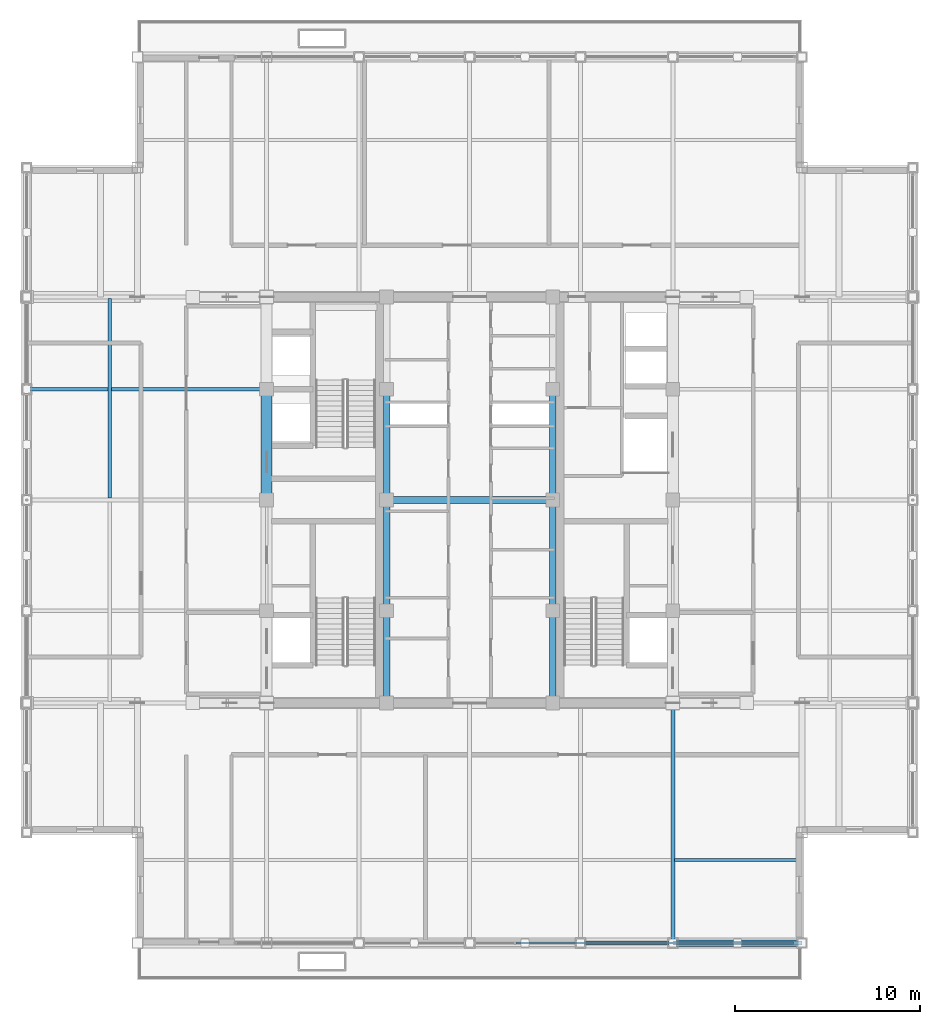
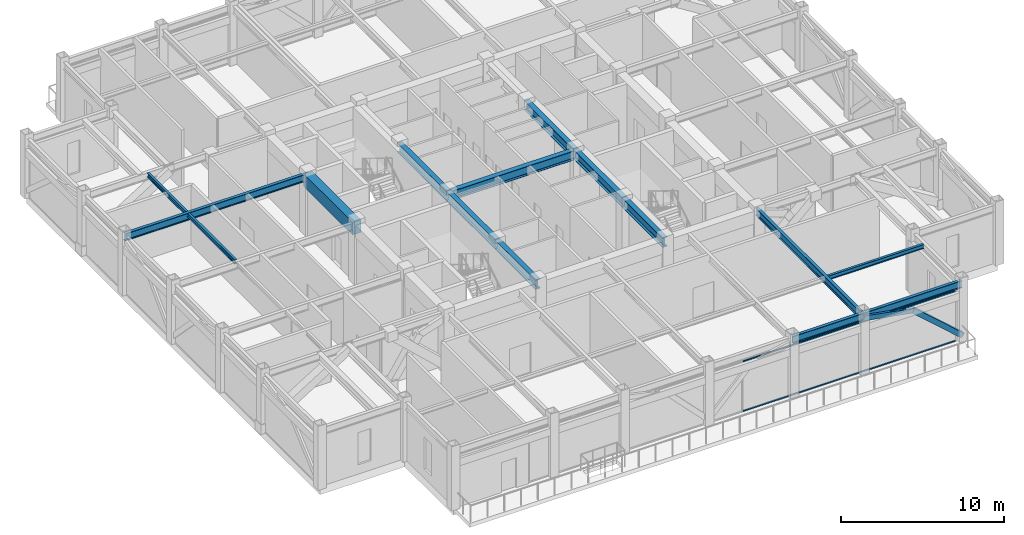
# One storey, part 7 of 32: 14 beams, 4 members, 1 element without a shape of its own.
"""IFC4 building model written with IfcOpenShell, lengths in metres."""

from ifc_helpers import new_model, si_unit, direction, frame, origin, origin_2d, place, context, subcontext, project, spatial, rectangle, hollow_rectangle, i_section, extrude, source, transform, mapped, material, material_profile, profile_set, type_object, element, aggregate, save


model = new_model("IFC4")

# Units and contexts
model_context = context("Model", 3, precision=1e-05, world=origin(), true_north=direction((0.0, 1.0)))
body_context = subcontext(model_context, "Body", "Model", "MODEL_VIEW")
ifc_project = project(units=[si_unit("LENGTHUNIT", "METRE"), si_unit("AREAUNIT", "SQUARE_METRE"), si_unit("VOLUMEUNIT", "CUBIC_METRE"), si_unit("PLANEANGLEUNIT", "RADIAN"), si_unit("MASSUNIT", "GRAM", prefix="KILO")], contexts=[model_context])

# Site, building, storey
site_placement = place(None, origin())
site = spatial("IfcSite", under=ifc_project, at=site_placement, CompositionType="ELEMENT")
building_placement = place(site_placement, origin())
building = spatial("IfcBuilding", under=site, at=building_placement, Name="Khorayat Bourse Tower", CompositionType="ELEMENT")
storey_placement = place(building_placement, frame((0.0, 0.0, 375.5)))
storey = spatial("IfcBuildingStorey", under=building, at=storey_placement, Name="L89", CompositionType="ELEMENT", Elevation=375.5)

# Beams
ifc_material_1 = material(Name="Steel ASTM A992 Grade 50", Category="steel")
ifc_material_profile_1 = material_profile(ifc_material_1, i_section(OverallWidth=0.35498046875, OverallDepth=0.695068359375, WebThickness=0.015380859375, FlangeThickness=0.02490234375, FilletRadius=0.01806640625, at=origin_2d()), Name="W690X217")
ifc_profile_set_1 = profile_set([ifc_material_profile_1], Name="Steel ASTM A992 Grade 50")
beam_type_1 = type_object("IfcBeamType", Name="BM-GIRD-690", PredefinedType="BEAM", material=ifc_profile_set_1)
shared_shape_1 = source(origin(), body_context, "Body", "SweptSolid", [
    extrude(i_section(OverallWidth=0.35498046875, OverallDepth=0.695068359375, WebThickness=0.015380859375, FlangeThickness=0.02490234375, FilletRadius=0.01806640625, at=origin_2d()), origin(), (0.0, 0.0, 1.0), 5.0),
])
for number, where, z_axis, x_axis, name in (
    (1, (-4.5, -11.0, 4.1025390625), (0.0, 1.0, 0.0), (-1.0, 0.0, 0.0), "L89 BM-GIRD-690 BM-L89-CRX-05"),
    (2, (4.5, -11.0, 4.1025390625), (0.0, 1.0, 0.0), (-1.0, 0.0, 0.0), "L89 BM-GIRD-690 BM-L89-CRX-09"),
):
    element("IfcBeam", number, at=place(storey_placement, frame(where, z_axis=z_axis, x_axis=x_axis)), inside=storey, type_object=beam_type_1, Name=name, PredefinedType="BEAM", context=body_context, shape_type="MappedRepresentation", body=[
        mapped(shared_shape_1, transform((0.0, 0.0, 0.0), scale=1.0)),
    ])
shared_shape_2 = source(origin(), body_context, "Body", "SweptSolid", [
    extrude(i_section(OverallWidth=0.35498046875, OverallDepth=0.695068359375, WebThickness=0.015380859375, FlangeThickness=0.02490234375, FilletRadius=0.01806640625, at=origin_2d()), origin(), (0.0, 0.0, 1.0), 6.0),
])
for number, where, z_axis, x_axis, name in (
    (3, (-4.5, -6.0, 4.1025390625), (0.0, 1.0, 0.0), (-1.0, 0.0, 0.0), "L89 BM-GIRD-690 BM-L89-CRX-06"),
    (4, (-4.5, 0.0, 4.1025390625), (0.0, 1.0, 0.0), (-1.0, 0.0, 0.0), "L89 BM-GIRD-690 BM-L89-CRX-07"),
    (5, (4.5, -6.0, 4.1025390625), (0.0, 1.0, 0.0), (-1.0, 0.0, 0.0), "L89 BM-GIRD-690 BM-L89-CRX-10"),
    (6, (4.5, 0.0, 4.1025390625), (0.0, 1.0, 0.0), (-1.0, 0.0, 0.0), "L89 BM-GIRD-690 BM-L89-CRX-11"),
):
    element("IfcBeam", number, at=place(storey_placement, frame(where, z_axis=z_axis, x_axis=x_axis)), inside=storey, type_object=beam_type_1, Name=name, PredefinedType="BEAM", context=body_context, shape_type="MappedRepresentation", body=[
        mapped(shared_shape_2, transform((0.0, 0.0, 0.0), scale=1.0)),
    ])
shared_shape_3 = source(origin(), body_context, "Body", "SweptSolid", [
    extrude(i_section(OverallWidth=0.35498046875, OverallDepth=0.695068359375, WebThickness=0.015380859375, FlangeThickness=0.02490234375, FilletRadius=0.01806640625, at=origin_2d()), origin(), (0.0, 0.0, 1.0), 9.0),
])
beam_1_placement = place(storey_placement, frame((-4.5, 0.0, 4.1025390625), z_axis=(1.0, 0.0, 0.0), x_axis=(0.0, 1.0, 0.0)))
element("IfcBeam", 7, at=beam_1_placement, inside=storey, type_object=beam_type_1, Name="L89 BM-GIRD-690 BM-L89-CRY-23", PredefinedType="BEAM", context=body_context, shape_type="MappedRepresentation", body=[
    mapped(shared_shape_3, transform((0.0, 0.0, 0.0), scale=1.0)),
])
ifc_material_2 = material(Name="Concrete C60/75", Category="concrete")
ifc_material_profile_2 = material_profile(ifc_material_2, rectangle(XDim=0.60009765625, YDim=0.949951171875, at=origin_2d()), Name="RC 600x950")
ifc_profile_set_2 = profile_set([ifc_material_profile_2], Name="Concrete C60/75")
beam_type_2 = type_object("IfcBeamType", Name="BM-COUP-950", PredefinedType="BEAM", material=ifc_profile_set_2)
shared_shape_4 = source(origin(), body_context, "Body", "SweptSolid", [
    extrude(rectangle(XDim=0.60009765625, YDim=0.949951171875, at=origin_2d()), origin(), (0.0, 0.0, 1.0), 6.0),
])
beam_2_placement = place(storey_placement, frame((-11.0, 0.0, 3.97509765625), z_axis=(0.0, 1.0, 0.0), x_axis=(-1.0, 0.0, 0.0)))
element("IfcBeam", 8, at=beam_2_placement, inside=storey, type_object=beam_type_2, Name="L89 BM-COUP-950 BM-L89-CRX-03", PredefinedType="BEAM", context=body_context, shape_type="MappedRepresentation", body=[
    mapped(shared_shape_4, transform((0.0, 0.0, 0.0), scale=1.0)),
])
ifc_material_profile_3 = material_profile(ifc_material_1, i_section(OverallWidth=0.214111328125, OverallDepth=0.549072265625, WebThickness=0.0146484375, FlangeThickness=0.023681640625, FilletRadius=0.013916015625, at=origin_2d()), Name="W530X138")
ifc_profile_set_3 = profile_set([ifc_material_profile_3], Name="Steel ASTM A992 Grade 50")
beam_type_3 = type_object("IfcBeamType", Name="BM-SPAN-530", PredefinedType="SPANDREL", material=ifc_profile_set_3)
shared_shape_5 = source(origin(), body_context, "Body", "SweptSolid", [
    extrude(i_section(OverallWidth=0.214111328125, OverallDepth=0.549072265625, WebThickness=0.0146484375, FlangeThickness=0.023681640625, FilletRadius=0.013916015625, at=origin_2d()), origin(), (0.0, 0.0, 1.0), 5.0),
])
beam_3_placement = place(storey_placement, frame((6.0, -24.0, 4.175537109375), z_axis=(1.0, 0.0, 0.0), x_axis=(0.0, 1.0, 0.0)))
element("IfcBeam", 9, at=beam_3_placement, inside=storey, type_object=beam_type_3, Name="L89 BM-SPAN-530 BM-L89-SPN-028", PredefinedType="SPANDREL", context=body_context, shape_type="MappedRepresentation", body=[
    mapped(shared_shape_5, transform((0.0, 0.0, 0.0), scale=1.0)),
])
shared_shape_6 = source(origin(), body_context, "Body", "SweptSolid", [
    extrude(i_section(OverallWidth=0.214111328125, OverallDepth=0.549072265625, WebThickness=0.0146484375, FlangeThickness=0.023681640625, FilletRadius=0.013916015625, at=origin_2d()), origin(), (0.0, 0.0, 1.0), 7.0),
])
beam_4_placement = place(storey_placement, frame((11.0, -24.0, 4.175537109375), z_axis=(1.0, 0.0, 0.0), x_axis=(0.0, 1.0, 0.0)))
element("IfcBeam", 10, at=beam_4_placement, inside=storey, type_object=beam_type_3, Name="L89 BM-SPAN-530 BM-L89-SPN-029", PredefinedType="SPANDREL", context=body_context, shape_type="MappedRepresentation", body=[
    mapped(shared_shape_6, transform((0.0, 0.0, 0.0), scale=1.0)),
])
ifc_material_profile_4 = material_profile(ifc_material_1, i_section(OverallWidth=0.214111328125, OverallDepth=0.549072265625, WebThickness=0.0146484375, FlangeThickness=0.023681640625, FilletRadius=0.013916015625, at=origin_2d()), Name="W530X138")
ifc_profile_set_4 = profile_set([ifc_material_profile_4], Name="Steel ASTM A992 Grade 50")
beam_type_4 = type_object("IfcBeamType", Name="BM-GIRD-530", PredefinedType="BEAM", material=ifc_profile_set_4)
shared_shape_7 = source(origin(), body_context, "Body", "SweptSolid", [
    extrude(i_section(OverallWidth=0.214111328125, OverallDepth=0.549072265625, WebThickness=0.0146484375, FlangeThickness=0.023681640625, FilletRadius=0.013916015625, at=origin_2d()), origin(), (0.0, 0.0, 1.0), 13.0),
])
for number, where, z_axis, x_axis, name in (
    (11, (11.0, -24.0, 4.175537109375), (0.0, 1.0, 0.0), (-1.0, 0.0, 0.0), "L89 BM-GIRD-530 BM-L89-RADY-065"),
    (12, (-24.0, 6.0, 4.175537109375), (1.0, 0.0, 0.0), (0.0, 1.0, 0.0), "L89 BM-GIRD-530 BM-L89-RADX-073"),
):
    element("IfcBeam", number, at=place(storey_placement, frame(where, z_axis=z_axis, x_axis=x_axis)), inside=storey, type_object=beam_type_4, Name=name, PredefinedType="BEAM", context=body_context, shape_type="MappedRepresentation", body=[
        mapped(shared_shape_7, transform((0.0, 0.0, 0.0), scale=1.0)),
    ])
ifc_material_profile_5 = material_profile(ifc_material_1, i_section(OverallWidth=0.1669921875, OverallDepth=0.31689453125, WebThickness=0.007568359375, FlangeThickness=0.01318359375, FilletRadius=0.010009765625, at=origin_2d()), Name="W310X52")
ifc_profile_set_5 = profile_set([ifc_material_profile_5], Name="Steel ASTM A992 Grade 50")
beam_type_5 = type_object("IfcBeamType", Name="BM-JOIST-310", PredefinedType="JOIST", material=ifc_profile_set_5)
shared_shape_8 = source(origin(), body_context, "Body", "SweptSolid", [
    extrude(i_section(OverallWidth=0.1669921875, OverallDepth=0.31689453125, WebThickness=0.007568359375, FlangeThickness=0.01318359375, FilletRadius=0.010009765625, at=origin_2d()), origin(), (0.0, 0.0, 1.0), 6.81005859375),
])
beam_5_placement = place(storey_placement, frame((11.094970703125, -19.5, 4.29150390625), z_axis=(1.0, 0.0, 0.0), x_axis=(0.0, 1.0, 0.0)))
element("IfcBeam", 13, at=beam_5_placement, inside=storey, type_object=beam_type_5, Name="L89 BM-JOIST-310 BM-L89-JSTX-086", PredefinedType="JOIST", context=body_context, shape_type="MappedRepresentation", body=[
    mapped(shared_shape_8, transform((0.0, 0.0, 0.0), scale=1.0)),
])
shared_shape_9 = source(origin(), body_context, "Body", "SweptSolid", [
    extrude(i_section(OverallWidth=0.1669921875, OverallDepth=0.31689453125, WebThickness=0.007568359375, FlangeThickness=0.01318359375, FilletRadius=0.010009765625, at=origin_2d()), origin(), (0.0, 0.0, 1.0), 10.81005859375),
])
beam_6_placement = place(storey_placement, frame((-19.5, 0.094970703125, 4.29150390625), z_axis=(0.0, 1.0, 0.0), x_axis=(-1.0, 0.0, 0.0)))
element("IfcBeam", 14, at=beam_6_placement, inside=storey, type_object=beam_type_5, Name="L89 BM-JOIST-310 BM-L89-JSTY-091", PredefinedType="JOIST", context=body_context, shape_type="MappedRepresentation", body=[
    mapped(shared_shape_9, transform((0.0, 0.0, 0.0), scale=1.0)),
])

# Members
ifc_material_3 = material(Name="Steel EN 10025-2 S355J2", Category="steel")
ifc_material_profile_6 = material_profile(ifc_material_3, hollow_rectangle(XDim=0.35009765625, YDim=0.35009765625, WallThickness=0.02001953125, at=origin_2d()), Name="HSS 350x350x20")
ifc_profile_set_6 = profile_set([ifc_material_profile_6], Name="Steel EN 10025-2 S355J2")
member_type_1 = type_object("IfcMemberType", Name="MBR-CROWN-350", PredefinedType="USERDEFINED", material=ifc_profile_set_6)
shared_shape_10 = source(origin(), body_context, "Body", "SweptSolid", [
    extrude(hollow_rectangle(XDim=0.35009765625, YDim=0.35009765625, WallThickness=0.02001953125, at=origin_2d()), origin(), (0.0, 0.0, 1.0), 3.559814453125),
])
member_1_placement = place(storey_placement, frame((11.0, -24.0, 4.10009765625), z_axis=(0.983181348138, 0.0, -0.18263197057), x_axis=(0.0, 1.0, 0.0)))
element("IfcMember", 15, at=member_1_placement, inside=storey, type_object=member_type_1, Name="L89 Lantern Crown Frame Member 05", ObjectType="CROWN FRAME", PredefinedType="USERDEFINED", context=body_context, shape_type="MappedRepresentation", body=[
    mapped(shared_shape_10, transform((0.0, 0.0, 0.0), scale=1.0)),
])
shared_shape_11 = source(origin(), body_context, "Body", "SweptSolid", [
    extrude(hollow_rectangle(XDim=0.35009765625, YDim=0.35009765625, WallThickness=0.02001953125, at=origin_2d()), origin(), (0.0, 0.0, 1.0), 4.67529296875),
])
member_2_placement = place(storey_placement, frame((14.5, -24.0, 3.449951171875), z_axis=(0.748603730842, 0.0, -0.663017687675), x_axis=(0.0, 1.0, 0.0)))
element("IfcMember", 16, at=member_2_placement, inside=storey, type_object=member_type_1, Name="L89 Lantern Crown Frame Member 06", ObjectType="CROWN FRAME", PredefinedType="USERDEFINED", context=body_context, shape_type="MappedRepresentation", body=[
    mapped(shared_shape_11, transform((0.0, 0.0, 0.0), scale=1.0)),
])

# Curtain wall, members
ifc_material_4 = material(Name="Aluminium EN AW-6063 T6", Category="aluminium")
curtain_wall_type = type_object("IfcCurtainWallType", Name="CW-SYS-07", PredefinedType="NOTDEFINED", material=ifc_material_4)
curtain_wall_placement = place(storey_placement, origin())
curtain_wall = element("IfcCurtainWall", 17, at=curtain_wall_placement, inside=storey, type_object=curtain_wall_type, Name="L89 Curtain Wall CW-L89-S2", PredefinedType="NOTDEFINED")
ifc_material_profile_7 = material_profile(ifc_material_4, hollow_rectangle(XDim=0.090087890625, YDim=0.090087890625, WallThickness=0.00390625, at=origin_2d()), Name="ALU 90x90x4")
ifc_profile_set_7 = profile_set([ifc_material_profile_7], Name="Aluminium EN AW-6063 T6")
member_type_2 = type_object("IfcMemberType", Name="CWT-HORZ-90", PredefinedType="USERDEFINED", material=ifc_profile_set_7)
shared_shape_12 = source(origin(), body_context, "Body", "SweptSolid", [
    extrude(hollow_rectangle(XDim=0.090087890625, YDim=0.090087890625, WallThickness=0.00390625, at=origin_2d()), origin(), (0.0, 0.0, 1.0), 15.050048828125),
])
member_3_placement = place(storey_placement, frame((2.5, -24.0, 0.044921875), z_axis=(1.0, 0.0, 0.0), x_axis=(0.0, 1.0, 0.0)))
member_3 = element("IfcMember", 18, at=member_3_placement, type_object=member_type_2, Name="CW-L89-S2 Horizontal Transom 2-1", ObjectType="TRANSOM", PredefinedType="USERDEFINED", context=body_context, shape_type="MappedRepresentation", body=[
    mapped(shared_shape_12, transform((0.0, 0.0, 0.0), scale=1.0)),
])
member_4_placement = place(storey_placement, frame((2.5, -24.0, 3.7548828125), z_axis=(1.0, 0.0, 0.0), x_axis=(0.0, 1.0, 0.0)))
member_4 = element("IfcMember", 19, at=member_4_placement, type_object=member_type_2, Name="CW-L89-S2 Horizontal Transom 2-2", ObjectType="TRANSOM", PredefinedType="USERDEFINED", context=body_context, shape_type="MappedRepresentation", body=[
    mapped(shared_shape_12, transform((0.0, 0.0, 0.0), scale=1.0)),
])
aggregate(curtain_wall, [member_3, member_4])

save(model, "model.ifc")
